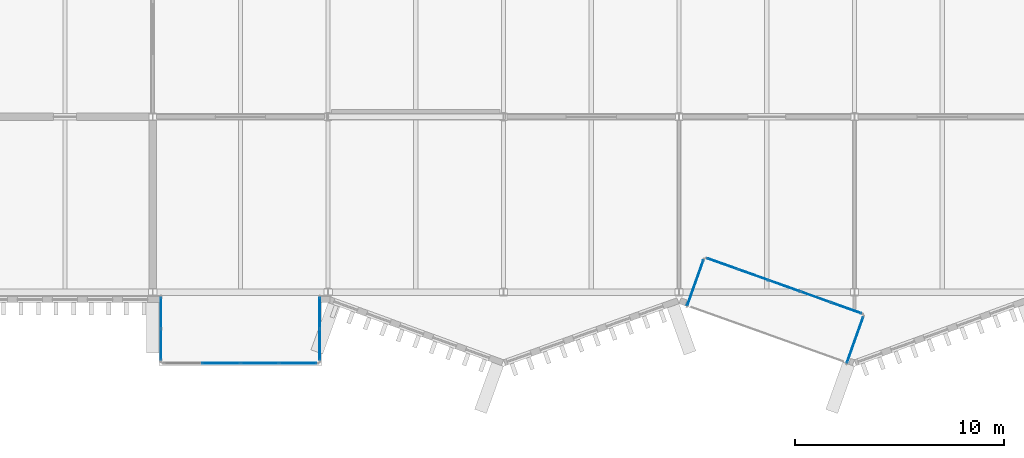
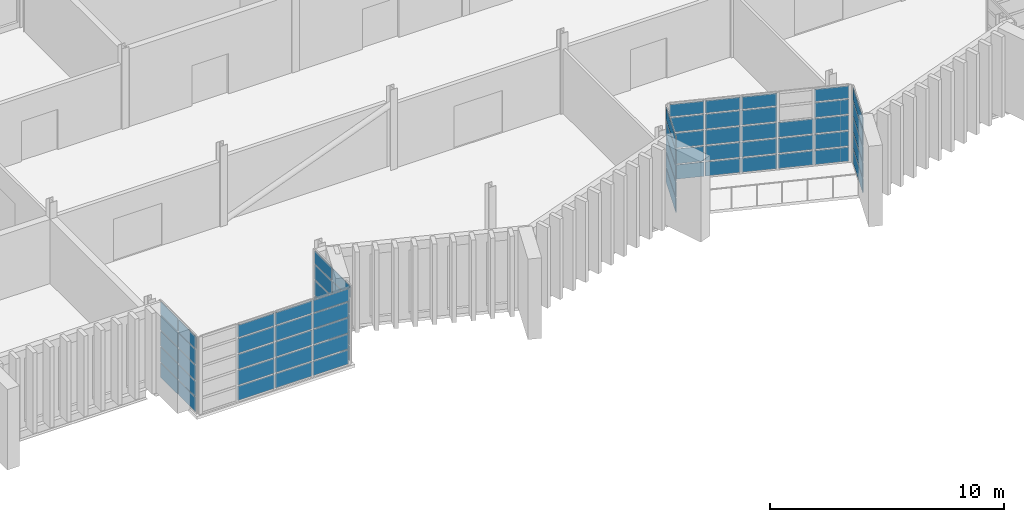
# One storey, part 49 of 96: 68 plates, 6 elements without a shape of their own.
"""IFC4 building model written with IfcOpenShell, lengths in metres."""

import ifcopenshell
import ifcopenshell.guid

model = None  # the IFC model being written
_history = None  # IfcOwnerHistory: only IFC2X3 demands one
_inside = {}  # id of a spatial element -> (the spatial element, [elements in it])
_under = {}  # id of a project, library or spatial element -> (it, [spatial elements below it])
_declared = {}  # id of a project -> (the project, [libraries it declares])
_typed = {}  # id of a type object -> (the type object, [elements of that type])
_made_of = {}  # id of a material, layer set ... -> (it, [elements and type objects made of it])


def new_model(schema):
    """Start an empty IFC model of exactly this schema.

    Asked for "IFC4X3", IfcOpenShell would pick the latest addendum, in which some entities
    have other attributes; the version numbers below select the first issue.
    IFC2X3 requires an IfcOwnerHistory on every rooted entity: one is made here for all.
    """
    global model, _history
    if schema == "IFC4X3":
        model = ifcopenshell.file(schema_version=(4, 3, 0, 0))
    else:
        model = ifcopenshell.file(schema=schema)
    _inside.clear()
    _under.clear()
    _declared.clear()
    _typed.clear()
    _made_of.clear()
    _history = None
    if model.schema == "IFC2X3":
        org = make("IfcOrganization", Name="unknown")
        user = make(
            "IfcPersonAndOrganization",
            ThePerson=make("IfcPerson", FamilyName="unknown"),
            TheOrganization=org,
        )
        app = make(
            "IfcApplication",
            ApplicationDeveloper=org,
            Version="unknown",
            ApplicationFullName="unknown",
            ApplicationIdentifier="unknown",
        )
        _history = make(
            "IfcOwnerHistory",
            OwningUser=user,
            OwningApplication=app,
            ChangeAction="ADDED",
            CreationDate=0,
        )
    return model


def make(cls, **values):
    """One entity of the class cls with the attributes given. An attribute that is None is left unset."""
    return model.create_entity(
        cls, **{name: value for name, value in values.items() if value is not None}
    )


def rooted(cls, **values):
    """An entity with a GlobalId (a new one), such as an element, a storey or a relation."""
    return make(cls, GlobalId=ifcopenshell.guid.new(), OwnerHistory=_history, **values)


def si_unit(unit_type, name, prefix=None):
    """IfcSIUnit, for example si_unit("LENGTHUNIT", "METRE", prefix="MILLI")."""
    return make("IfcSIUnit", UnitType=unit_type, Prefix=prefix, Name=name)


def assignment(units):
    """IfcUnitAssignment: the units of a project."""
    return None if units is None else make("IfcUnitAssignment", Units=units)


def point(xyz):
    """IfcCartesianPoint."""
    return None if xyz is None else make("IfcCartesianPoint", Coordinates=xyz)


def direction(xyz):
    """IfcDirection."""
    return None if xyz is None else make("IfcDirection", DirectionRatios=xyz)


def frame(location, z_axis=None, x_axis=None):
    """IfcAxis2Placement3D, a coordinate frame: its origin and axes. An axis left out is left unset."""
    return make(
        "IfcAxis2Placement3D",
        Location=point(location),
        Axis=direction(z_axis),
        RefDirection=direction(x_axis),
    )


def frame_2d(location, x_axis=None):
    """IfcAxis2Placement2D, a coordinate frame in the plane: its origin and x axis."""
    return make(
        "IfcAxis2Placement2D", Location=point(location), RefDirection=direction(x_axis)
    )


def origin():
    """The frame at (0, 0, 0) with its axes left unset."""
    return frame((0.0, 0.0, 0.0))


def origin_2d():
    """The frame at (0, 0) in the plane with its x axis left unset."""
    return frame_2d((0.0, 0.0))


def place(relative_to, where):
    """IfcLocalPlacement: puts the frame where relative to a parent placement (None: the world)."""
    return make(
        "IfcLocalPlacement", PlacementRelTo=relative_to, RelativePlacement=where
    )


def context(
    kind, dimensions, precision=None, world=None, true_north=None, identifier=None
):
    """IfcGeometricRepresentationContext, for example the 3D "Model" context."""
    return make(
        "IfcGeometricRepresentationContext",
        ContextIdentifier=identifier,
        ContextType=kind,
        CoordinateSpaceDimension=dimensions,
        Precision=precision,
        WorldCoordinateSystem=world,
        TrueNorth=true_north,
    )


def subcontext(parent, identifier, kind, view, scale=None):
    """IfcGeometricRepresentationSubContext, for example "Body" below "Model"."""
    return make(
        "IfcGeometricRepresentationSubContext",
        ContextIdentifier=identifier,
        ContextType=kind,
        ParentContext=parent,
        TargetScale=scale,
        TargetView=view,
    )


def project(units=None, contexts=None):
    """IfcProject with its units and contexts."""
    return rooted(
        "IfcProject",
        Name="project",
        RepresentationContexts=contexts,
        UnitsInContext=assignment(units),
    )


def spatial(cls, under=None, at=None, **own):
    """A site, building, storey or space (cls), placed at a placement, below another one or the project."""
    s = rooted(cls, ObjectPlacement=at, **own)
    if under is not None:
        _under.setdefault(under.id(), (under, []))[1].append(s)
    return s


def profile(cls, at=None, kind="AREA", **sizes):
    """A parametric profile (cls). Its sizes go by their IFC names, for example OverallWidth=200.0."""
    return make(cls, ProfileType=kind, Position=at, **sizes)


def rectangle(**sizes):
    """IfcRectangleProfileDef."""
    return profile("IfcRectangleProfileDef", **sizes)


def extrude(swept, where, along, depth):
    """IfcExtrudedAreaSolid: the profile swept, set in the frame where, extruded along a direction by depth."""
    return make(
        "IfcExtrudedAreaSolid",
        SweptArea=swept,
        Position=where,
        ExtrudedDirection=direction(along),
        Depth=depth,
    )


def shape(context_of_items, identifier, shape_type, items):
    """IfcShapeRepresentation: the items that make up one representation, for example the "Body"."""
    return make(
        "IfcShapeRepresentation",
        ContextOfItems=context_of_items,
        RepresentationIdentifier=identifier,
        RepresentationType=shape_type,
        Items=items,
    )


def material(Name=None, Category=None):
    """IfcMaterial."""
    return make("IfcMaterial", Name=Name, Category=Category)


def layer(
    of_material, thickness, ventilated=None, Name=None, Category=None, Priority=None
):
    """IfcMaterialLayer: one layer of a wall or slab, of a material (None: an air gap)."""
    return make(
        "IfcMaterialLayer",
        Material=of_material,
        LayerThickness=thickness,
        IsVentilated=ventilated,
        Name=Name,
        Category=Category,
        Priority=Priority,
    )


def layer_set(layers, Name=None):
    """IfcMaterialLayerSet."""
    return make("IfcMaterialLayerSet", MaterialLayers=layers, LayerSetName=Name)


def made_of(thing, what):
    """Note that an element or type object is made of a material, layer set ...; save() writes the relation."""
    if what is not None:
        _made_of.setdefault(what.id(), (what, []))[1].append(thing)
    return thing


def type_object(cls, material=None, **own):
    """A type object (cls), such as IfcWallType, which elements share."""
    return made_of(rooted(cls, **own), material)


def element(
    cls,
    number,
    at=None,
    inside=None,
    cuts=None,
    type_object=None,
    material=None,
    context=None,
    identifier="Body",
    shape_type=None,
    held_by="IfcProductDefinitionShape",
    body=None,
    shapes=None,
    **own,
):
    """One element of the class cls, such as IfcWall. Its Tag is "e" and its number.

    at: its placement. inside: the storey or other place that contains it. cuts: it is an
    opening in that element (IfcRelVoidsElement). A single representation is given by context,
    identifier, shape_type and body (its items); several are given by shapes. held_by: the class
    of the entity that holds the representations. save() writes the other relations.
    """
    e = rooted(cls, Tag="e%d" % number, ObjectPlacement=at, **own)
    if body is not None:
        shapes = [shape(context, identifier, shape_type, body)]
    if shapes is not None:
        e.Representation = make(held_by, Representations=shapes)
    if inside is not None:
        _inside.setdefault(inside.id(), (inside, []))[1].append(e)
    if cuts is not None:
        rooted(
            "IfcRelVoidsElement", RelatingBuildingElement=cuts, RelatedOpeningElement=e
        )
    if type_object is not None:
        _typed.setdefault(type_object.id(), (type_object, []))[1].append(e)
    return made_of(e, material)


def aggregate(whole, parts):
    """IfcRelAggregates: a whole, such as a stair, and the parts it consists of."""
    return rooted("IfcRelAggregates", RelatingObject=whole, RelatedObjects=parts)


def save(model, path):
    """Write the relations noted so far, then the file.

    IfcRelAggregates (storeys below a building ...), IfcRelContainedInSpatialStructure (elements
    in a storey), IfcRelDefinesByType, IfcRelAssociatesMaterial and IfcRelDeclares: one each for
    every whole, place, type object, material and project.
    """
    for whole, parts in _under.values():
        aggregate(whole, parts)
    for where, things in _inside.values():
        rooted(
            "IfcRelContainedInSpatialStructure",
            RelatedElements=things,
            RelatingStructure=where,
        )
    for kind, things in _typed.values():
        rooted("IfcRelDefinesByType", RelatedObjects=things, RelatingType=kind)
    for what, things in _made_of.values():
        rooted("IfcRelAssociatesMaterial", RelatedObjects=things, RelatingMaterial=what)
    for by, libraries in _declared.values():
        rooted("IfcRelDeclares", RelatingContext=by, RelatedDefinitions=libraries)
    model.write(path)


model = new_model("IFC4")

# Units and contexts
model_context = context("Model", 3, precision=1e-05, world=origin(), true_north=direction((0.0, 1.0)))
body_context = subcontext(model_context, "Body", "Model", "MODEL_VIEW")
ifc_project = project(units=[si_unit("LENGTHUNIT", "METRE"), si_unit("AREAUNIT", "SQUARE_METRE"), si_unit("VOLUMEUNIT", "CUBIC_METRE"), si_unit("PLANEANGLEUNIT", "RADIAN"), si_unit("MASSUNIT", "GRAM", prefix="KILO")], contexts=[model_context])

# Site, building, storey
site_placement = place(None, origin())
site = spatial("IfcSite", under=ifc_project, at=site_placement, CompositionType="ELEMENT")
building_placement = place(site_placement, origin())
building = spatial("IfcBuilding", under=site, at=building_placement, Name="Cresset Court Congress Hotel", CompositionType="ELEMENT")
storey_placement = place(building_placement, frame((0.0, 0.0, 6.0)))
storey = spatial("IfcBuildingStorey", under=building, at=storey_placement, Name="L01", CompositionType="ELEMENT", Elevation=6.0)

# Curtain wall, plates
ifc_material_1 = material(Name="Aluminium frame with double glazing", Category="aluminium")
ifc_layer_1 = layer(ifc_material_1, 0.199951171875)
ifc_layer_set_1 = layer_set([ifc_layer_1], Name="Glazed box curtain wall 1680 module")
curtain_wall_type = type_object("IfcCurtainWallType", Name="Glazed box curtain wall 1680 module", PredefinedType="NOTDEFINED", material=ifc_layer_set_1)
curtain_wall_1_placement = place(storey_placement, origin())
curtain_wall_1 = element("IfcCurtainWall", 1, at=curtain_wall_1_placement, inside=storey, type_object=curtain_wall_type, Name="Glazed box S0112 front", PredefinedType="NOTDEFINED")
ifc_material_2 = material(Name="Toughened double glazing", Category="glass")
ifc_layer_2 = layer(ifc_material_2, 0.028076171875)
ifc_layer_set_2 = layer_set([ifc_layer_2], Name="Box glass panel 28")
plate_type_1 = type_object("IfcPlateType", Name="Box glass panel 28", PredefinedType="CURTAIN_PANEL", material=ifc_layer_set_2)
plate_1_placement = place(storey_placement, frame((95.675048828125, -3.39990234375, 0.06005859375), z_axis=(0.0, 0.0, 1.0), x_axis=(1.0, 0.0, 0.0)))
plate_1 = element("IfcPlate", 2, at=plate_1_placement, type_object=plate_type_1, Name="B-X1 panel 2.1", PredefinedType="CURTAIN_PANEL", context=body_context, shape_type="SweptSolid", body=[
    extrude(rectangle(XDim=1.7900390625, YDim=0.028076171875, at=origin_2d()), origin(), (0.0, 0.0, 1.0), 0.739990234375),
])
plate_2_placement = place(storey_placement, frame((95.675048828125, -3.39990234375, 0.860107421875), z_axis=(0.0, 0.0, 1.0), x_axis=(1.0, 0.0, 0.0)))
plate_2 = element("IfcPlate", 3, at=plate_2_placement, type_object=plate_type_1, Name="B-X1 panel 2.2", PredefinedType="CURTAIN_PANEL", context=body_context, shape_type="SweptSolid", body=[
    extrude(rectangle(XDim=1.7900390625, YDim=0.028076171875, at=origin_2d()), origin(), (0.0, 0.0, 1.0), 0.77001953125),
])
plate_3_placement = place(storey_placement, frame((95.675048828125, -3.39990234375, 1.68994140625), z_axis=(0.0, 0.0, 1.0), x_axis=(1.0, 0.0, 0.0)))
plate_3 = element("IfcPlate", 4, at=plate_3_placement, type_object=plate_type_1, Name="B-X1 panel 2.3", PredefinedType="CURTAIN_PANEL", context=body_context, shape_type="SweptSolid", body=[
    extrude(rectangle(XDim=1.7900390625, YDim=0.028076171875, at=origin_2d()), origin(), (0.0, 0.0, 1.0), 0.77001953125),
])
plate_4_placement = place(storey_placement, frame((95.675048828125, -3.39990234375, 2.52001953125), z_axis=(0.0, 0.0, 1.0), x_axis=(1.0, 0.0, 0.0)))
plate_4 = element("IfcPlate", 5, at=plate_4_placement, type_object=plate_type_1, Name="B-X1 panel 2.4", PredefinedType="CURTAIN_PANEL", context=body_context, shape_type="SweptSolid", body=[
    extrude(rectangle(XDim=1.7900390625, YDim=0.028076171875, at=origin_2d()), origin(), (0.0, 0.0, 1.0), 0.77001953125),
])
plate_5_placement = place(storey_placement, frame((97.52490234375, -3.39990234375, 0.06005859375), z_axis=(0.0, 0.0, 1.0), x_axis=(1.0, 0.0, 0.0)))
plate_5 = element("IfcPlate", 6, at=plate_5_placement, type_object=plate_type_1, Name="B-X1 panel 3.1", PredefinedType="CURTAIN_PANEL", context=body_context, shape_type="SweptSolid", body=[
    extrude(rectangle(XDim=1.7900390625, YDim=0.028076171875, at=origin_2d()), origin(), (0.0, 0.0, 1.0), 0.739990234375),
])
plate_6_placement = place(storey_placement, frame((97.52490234375, -3.39990234375, 0.860107421875), z_axis=(0.0, 0.0, 1.0), x_axis=(1.0, 0.0, 0.0)))
plate_6 = element("IfcPlate", 7, at=plate_6_placement, type_object=plate_type_1, Name="B-X1 panel 3.2", PredefinedType="CURTAIN_PANEL", context=body_context, shape_type="SweptSolid", body=[
    extrude(rectangle(XDim=1.7900390625, YDim=0.028076171875, at=origin_2d()), origin(), (0.0, 0.0, 1.0), 0.77001953125),
])
plate_7_placement = place(storey_placement, frame((97.52490234375, -3.39990234375, 1.68994140625), z_axis=(0.0, 0.0, 1.0), x_axis=(1.0, 0.0, 0.0)))
plate_7 = element("IfcPlate", 8, at=plate_7_placement, type_object=plate_type_1, Name="B-X1 panel 3.3", PredefinedType="CURTAIN_PANEL", context=body_context, shape_type="SweptSolid", body=[
    extrude(rectangle(XDim=1.7900390625, YDim=0.028076171875, at=origin_2d()), origin(), (0.0, 0.0, 1.0), 0.77001953125),
])
plate_8_placement = place(storey_placement, frame((97.52490234375, -3.39990234375, 2.52001953125), z_axis=(0.0, 0.0, 1.0), x_axis=(1.0, 0.0, 0.0)))
plate_8 = element("IfcPlate", 9, at=plate_8_placement, type_object=plate_type_1, Name="B-X1 panel 3.4", PredefinedType="CURTAIN_PANEL", context=body_context, shape_type="SweptSolid", body=[
    extrude(rectangle(XDim=1.7900390625, YDim=0.028076171875, at=origin_2d()), origin(), (0.0, 0.0, 1.0), 0.77001953125),
])
plate_9_placement = place(storey_placement, frame((99.360107421875, -3.39990234375, 0.06005859375), z_axis=(0.0, 0.0, 1.0), x_axis=(1.0, 0.0, 0.0)))
plate_9 = element("IfcPlate", 10, at=plate_9_placement, type_object=plate_type_1, Name="B-X1 panel 4.1", PredefinedType="CURTAIN_PANEL", context=body_context, shape_type="SweptSolid", body=[
    extrude(rectangle(XDim=1.760009765625, YDim=0.028076171875, at=origin_2d()), origin(), (0.0, 0.0, 1.0), 0.739990234375),
])
plate_10_placement = place(storey_placement, frame((99.360107421875, -3.39990234375, 0.860107421875), z_axis=(0.0, 0.0, 1.0), x_axis=(1.0, 0.0, 0.0)))
plate_10 = element("IfcPlate", 11, at=plate_10_placement, type_object=plate_type_1, Name="B-X1 panel 4.2", PredefinedType="CURTAIN_PANEL", context=body_context, shape_type="SweptSolid", body=[
    extrude(rectangle(XDim=1.760009765625, YDim=0.028076171875, at=origin_2d()), origin(), (0.0, 0.0, 1.0), 0.77001953125),
])
plate_11_placement = place(storey_placement, frame((99.360107421875, -3.39990234375, 1.68994140625), z_axis=(0.0, 0.0, 1.0), x_axis=(1.0, 0.0, 0.0)))
plate_11 = element("IfcPlate", 12, at=plate_11_placement, type_object=plate_type_1, Name="B-X1 panel 4.3", PredefinedType="CURTAIN_PANEL", context=body_context, shape_type="SweptSolid", body=[
    extrude(rectangle(XDim=1.760009765625, YDim=0.028076171875, at=origin_2d()), origin(), (0.0, 0.0, 1.0), 0.77001953125),
])
plate_12_placement = place(storey_placement, frame((99.360107421875, -3.39990234375, 2.52001953125), z_axis=(0.0, 0.0, 1.0), x_axis=(1.0, 0.0, 0.0)))
plate_12 = element("IfcPlate", 13, at=plate_12_placement, type_object=plate_type_1, Name="B-X1 panel 4.4", PredefinedType="CURTAIN_PANEL", context=body_context, shape_type="SweptSolid", body=[
    extrude(rectangle(XDim=1.760009765625, YDim=0.028076171875, at=origin_2d()), origin(), (0.0, 0.0, 1.0), 0.77001953125),
])

curtain_wall_2_placement = place(storey_placement, origin())
curtain_wall_2 = element("IfcCurtainWall", 14, at=curtain_wall_2_placement, inside=storey, type_object=curtain_wall_type, Name="Glazed box S0112 side", PredefinedType="NOTDEFINED")
plate_13_placement = place(storey_placement, frame((92.800048828125, -0.989990234375, 0.06005859375), z_axis=(0.0, 0.0, 1.0), x_axis=(0.0, -1.0, 0.0)))
plate_13 = element("IfcPlate", 15, at=plate_13_placement, type_object=plate_type_1, Name="B-X1 panel 1.1", PredefinedType="CURTAIN_PANEL", context=body_context, shape_type="SweptSolid", body=[
    extrude(rectangle(XDim=1.4599609375, YDim=0.028076171875, at=origin_2d()), origin(), (0.0, 0.0, 1.0), 0.739990234375),
])
plate_14_placement = place(storey_placement, frame((92.800048828125, -0.989990234375, 0.860107421875), z_axis=(0.0, 0.0, 1.0), x_axis=(0.0, -1.0, 0.0)))
plate_14 = element("IfcPlate", 16, at=plate_14_placement, type_object=plate_type_1, Name="B-X1 panel 1.2", PredefinedType="CURTAIN_PANEL", context=body_context, shape_type="SweptSolid", body=[
    extrude(rectangle(XDim=1.4599609375, YDim=0.028076171875, at=origin_2d()), origin(), (0.0, 0.0, 1.0), 0.77001953125),
])
plate_15_placement = place(storey_placement, frame((92.800048828125, -0.989990234375, 1.68994140625), z_axis=(0.0, 0.0, 1.0), x_axis=(0.0, -1.0, 0.0)))
plate_15 = element("IfcPlate", 17, at=plate_15_placement, type_object=plate_type_1, Name="B-X1 panel 1.3", PredefinedType="CURTAIN_PANEL", context=body_context, shape_type="SweptSolid", body=[
    extrude(rectangle(XDim=1.4599609375, YDim=0.028076171875, at=origin_2d()), origin(), (0.0, 0.0, 1.0), 0.77001953125),
])
plate_16_placement = place(storey_placement, frame((92.800048828125, -0.989990234375, 2.52001953125), z_axis=(0.0, 0.0, 1.0), x_axis=(0.0, -1.0, 0.0)))
plate_16 = element("IfcPlate", 18, at=plate_16_placement, type_object=plate_type_1, Name="B-X1 panel 1.4", PredefinedType="CURTAIN_PANEL", context=body_context, shape_type="SweptSolid", body=[
    extrude(rectangle(XDim=1.4599609375, YDim=0.028076171875, at=origin_2d()), origin(), (0.0, 0.0, 1.0), 0.77001953125),
])
plate_17_placement = place(storey_placement, frame((92.800048828125, -2.510009765625, 0.06005859375), z_axis=(0.0, 0.0, 1.0), x_axis=(0.0, -1.0, 0.0)))
plate_17 = element("IfcPlate", 19, at=plate_17_placement, type_object=plate_type_1, Name="B-X1 panel 2.1", PredefinedType="CURTAIN_PANEL", context=body_context, shape_type="SweptSolid", body=[
    extrude(rectangle(XDim=1.4599609375, YDim=0.028076171875, at=origin_2d()), origin(), (0.0, 0.0, 1.0), 0.739990234375),
])
plate_18_placement = place(storey_placement, frame((92.800048828125, -2.510009765625, 0.860107421875), z_axis=(0.0, 0.0, 1.0), x_axis=(0.0, -1.0, 0.0)))
plate_18 = element("IfcPlate", 20, at=plate_18_placement, type_object=plate_type_1, Name="B-X1 panel 2.2", PredefinedType="CURTAIN_PANEL", context=body_context, shape_type="SweptSolid", body=[
    extrude(rectangle(XDim=1.4599609375, YDim=0.028076171875, at=origin_2d()), origin(), (0.0, 0.0, 1.0), 0.77001953125),
])
plate_19_placement = place(storey_placement, frame((92.800048828125, -2.510009765625, 1.68994140625), z_axis=(0.0, 0.0, 1.0), x_axis=(0.0, -1.0, 0.0)))
plate_19 = element("IfcPlate", 21, at=plate_19_placement, type_object=plate_type_1, Name="B-X1 panel 2.3", PredefinedType="CURTAIN_PANEL", context=body_context, shape_type="SweptSolid", body=[
    extrude(rectangle(XDim=1.4599609375, YDim=0.028076171875, at=origin_2d()), origin(), (0.0, 0.0, 1.0), 0.77001953125),
])
plate_20_placement = place(storey_placement, frame((92.800048828125, -2.510009765625, 2.52001953125), z_axis=(0.0, 0.0, 1.0), x_axis=(0.0, -1.0, 0.0)))
plate_20 = element("IfcPlate", 22, at=plate_20_placement, type_object=plate_type_1, Name="B-X1 panel 2.4", PredefinedType="CURTAIN_PANEL", context=body_context, shape_type="SweptSolid", body=[
    extrude(rectangle(XDim=1.4599609375, YDim=0.028076171875, at=origin_2d()), origin(), (0.0, 0.0, 1.0), 0.77001953125),
])

curtain_wall_3_placement = place(storey_placement, origin())
curtain_wall_3 = element("IfcCurtainWall", 23, at=curtain_wall_3_placement, inside=storey, type_object=curtain_wall_type, Name="Glazed box S0112 side", PredefinedType="NOTDEFINED")
plate_21_placement = place(storey_placement, frame((100.39990234375, -0.989990234375, 0.06005859375), z_axis=(0.0, 0.0, 1.0), x_axis=(0.0, -1.0, 0.0)))
plate_21 = element("IfcPlate", 24, at=plate_21_placement, type_object=plate_type_1, Name="B-X1 panel 1.1", PredefinedType="CURTAIN_PANEL", context=body_context, shape_type="SweptSolid", body=[
    extrude(rectangle(XDim=1.4599609375, YDim=0.028076171875, at=origin_2d()), origin(), (0.0, 0.0, 1.0), 0.739990234375),
])
plate_22_placement = place(storey_placement, frame((100.39990234375, -0.989990234375, 0.860107421875), z_axis=(0.0, 0.0, 1.0), x_axis=(0.0, -1.0, 0.0)))
plate_22 = element("IfcPlate", 25, at=plate_22_placement, type_object=plate_type_1, Name="B-X1 panel 1.2", PredefinedType="CURTAIN_PANEL", context=body_context, shape_type="SweptSolid", body=[
    extrude(rectangle(XDim=1.4599609375, YDim=0.028076171875, at=origin_2d()), origin(), (0.0, 0.0, 1.0), 0.77001953125),
])
plate_23_placement = place(storey_placement, frame((100.39990234375, -0.989990234375, 1.68994140625), z_axis=(0.0, 0.0, 1.0), x_axis=(0.0, -1.0, 0.0)))
plate_23 = element("IfcPlate", 26, at=plate_23_placement, type_object=plate_type_1, Name="B-X1 panel 1.3", PredefinedType="CURTAIN_PANEL", context=body_context, shape_type="SweptSolid", body=[
    extrude(rectangle(XDim=1.4599609375, YDim=0.028076171875, at=origin_2d()), origin(), (0.0, 0.0, 1.0), 0.77001953125),
])
plate_24_placement = place(storey_placement, frame((100.39990234375, -0.989990234375, 2.52001953125), z_axis=(0.0, 0.0, 1.0), x_axis=(0.0, -1.0, 0.0)))
plate_24 = element("IfcPlate", 27, at=plate_24_placement, type_object=plate_type_1, Name="B-X1 panel 1.4", PredefinedType="CURTAIN_PANEL", context=body_context, shape_type="SweptSolid", body=[
    extrude(rectangle(XDim=1.4599609375, YDim=0.028076171875, at=origin_2d()), origin(), (0.0, 0.0, 1.0), 0.77001953125),
])
plate_25_placement = place(storey_placement, frame((100.39990234375, -2.510009765625, 0.06005859375), z_axis=(0.0, 0.0, 1.0), x_axis=(0.0, -1.0, 0.0)))
plate_25 = element("IfcPlate", 28, at=plate_25_placement, type_object=plate_type_1, Name="B-X1 panel 2.1", PredefinedType="CURTAIN_PANEL", context=body_context, shape_type="SweptSolid", body=[
    extrude(rectangle(XDim=1.4599609375, YDim=0.028076171875, at=origin_2d()), origin(), (0.0, 0.0, 1.0), 0.739990234375),
])
plate_26_placement = place(storey_placement, frame((100.39990234375, -2.510009765625, 0.860107421875), z_axis=(0.0, 0.0, 1.0), x_axis=(0.0, -1.0, 0.0)))
plate_26 = element("IfcPlate", 29, at=plate_26_placement, type_object=plate_type_1, Name="B-X1 panel 2.2", PredefinedType="CURTAIN_PANEL", context=body_context, shape_type="SweptSolid", body=[
    extrude(rectangle(XDim=1.4599609375, YDim=0.028076171875, at=origin_2d()), origin(), (0.0, 0.0, 1.0), 0.77001953125),
])
plate_27_placement = place(storey_placement, frame((100.39990234375, -2.510009765625, 1.68994140625), z_axis=(0.0, 0.0, 1.0), x_axis=(0.0, -1.0, 0.0)))
plate_27 = element("IfcPlate", 30, at=plate_27_placement, type_object=plate_type_1, Name="B-X1 panel 2.3", PredefinedType="CURTAIN_PANEL", context=body_context, shape_type="SweptSolid", body=[
    extrude(rectangle(XDim=1.4599609375, YDim=0.028076171875, at=origin_2d()), origin(), (0.0, 0.0, 1.0), 0.77001953125),
])
plate_28_placement = place(storey_placement, frame((100.39990234375, -2.510009765625, 2.52001953125), z_axis=(0.0, 0.0, 1.0), x_axis=(0.0, -1.0, 0.0)))
plate_28 = element("IfcPlate", 31, at=plate_28_placement, type_object=plate_type_1, Name="B-X1 panel 2.4", PredefinedType="CURTAIN_PANEL", context=body_context, shape_type="SweptSolid", body=[
    extrude(rectangle(XDim=1.4599609375, YDim=0.028076171875, at=origin_2d()), origin(), (0.0, 0.0, 1.0), 0.77001953125),
])

curtain_wall_4_placement = place(storey_placement, origin())
curtain_wall_4 = element("IfcCurtainWall", 32, at=curtain_wall_4_placement, inside=storey, type_object=curtain_wall_type, Name="Glazed box S0115 front", PredefinedType="NOTDEFINED")
plate_29_placement = place(storey_placement, frame((119.671630859375, 1.36474609375, 0.06005859375), z_axis=(0.0, 0.0, 1.0), x_axis=(0.941741911601, -0.336336396981, 0.0)))
plate_29 = element("IfcPlate", 33, at=plate_29_placement, type_object=plate_type_1, Name="B-X1 panel 1.1", PredefinedType="CURTAIN_PANEL", context=body_context, shape_type="SweptSolid", body=[
    extrude(rectangle(XDim=1.493896484375, YDim=0.028076171875, at=origin_2d()), origin(), (0.0, 0.0, 1.0), 0.739990234375),
])
plate_30_placement = place(storey_placement, frame((119.671630859375, 1.36474609375, 0.860107421875), z_axis=(0.0, 0.0, 1.0), x_axis=(0.941741911601, -0.336336396981, 0.0)))
plate_30 = element("IfcPlate", 34, at=plate_30_placement, type_object=plate_type_1, Name="B-X1 panel 1.2", PredefinedType="CURTAIN_PANEL", context=body_context, shape_type="SweptSolid", body=[
    extrude(rectangle(XDim=1.493896484375, YDim=0.028076171875, at=origin_2d()), origin(), (0.0, 0.0, 1.0), 0.77001953125),
])
plate_31_placement = place(storey_placement, frame((119.671630859375, 1.36474609375, 1.68994140625), z_axis=(0.0, 0.0, 1.0), x_axis=(0.941741911601, -0.336336396981, 0.0)))
plate_31 = element("IfcPlate", 35, at=plate_31_placement, type_object=plate_type_1, Name="B-X1 panel 1.3", PredefinedType="CURTAIN_PANEL", context=body_context, shape_type="SweptSolid", body=[
    extrude(rectangle(XDim=1.493896484375, YDim=0.028076171875, at=origin_2d()), origin(), (0.0, 0.0, 1.0), 0.77001953125),
])
plate_32_placement = place(storey_placement, frame((119.671630859375, 1.36474609375, 2.52001953125), z_axis=(0.0, 0.0, 1.0), x_axis=(0.941741911601, -0.336336396981, 0.0)))
plate_32 = element("IfcPlate", 36, at=plate_32_placement, type_object=plate_type_1, Name="B-X1 panel 1.4", PredefinedType="CURTAIN_PANEL", context=body_context, shape_type="SweptSolid", body=[
    extrude(rectangle(XDim=1.493896484375, YDim=0.028076171875, at=origin_2d()), origin(), (0.0, 0.0, 1.0), 0.77001953125),
])
plate_33_placement = place(storey_placement, frame((121.149169921875, 0.837158203125, 0.06005859375), z_axis=(0.0, 0.0, 1.0), x_axis=(0.941741911601, -0.336336396981, 0.0)))
plate_33 = element("IfcPlate", 37, at=plate_33_placement, type_object=plate_type_1, Name="B-X1 panel 2.1", PredefinedType="CURTAIN_PANEL", context=body_context, shape_type="SweptSolid", body=[
    extrude(rectangle(XDim=1.52392578125, YDim=0.028076171875, at=origin_2d()), origin(), (0.0, 0.0, 1.0), 0.739990234375),
])
plate_34_placement = place(storey_placement, frame((121.149169921875, 0.837158203125, 0.860107421875), z_axis=(0.0, 0.0, 1.0), x_axis=(0.941741911601, -0.336336396981, 0.0)))
plate_34 = element("IfcPlate", 38, at=plate_34_placement, type_object=plate_type_1, Name="B-X1 panel 2.2", PredefinedType="CURTAIN_PANEL", context=body_context, shape_type="SweptSolid", body=[
    extrude(rectangle(XDim=1.52392578125, YDim=0.028076171875, at=origin_2d()), origin(), (0.0, 0.0, 1.0), 0.77001953125),
])
plate_35_placement = place(storey_placement, frame((121.149169921875, 0.837158203125, 1.68994140625), z_axis=(0.0, 0.0, 1.0), x_axis=(0.941741911601, -0.336336396981, 0.0)))
plate_35 = element("IfcPlate", 39, at=plate_35_placement, type_object=plate_type_1, Name="B-X1 panel 2.3", PredefinedType="CURTAIN_PANEL", context=body_context, shape_type="SweptSolid", body=[
    extrude(rectangle(XDim=1.52392578125, YDim=0.028076171875, at=origin_2d()), origin(), (0.0, 0.0, 1.0), 0.77001953125),
])
plate_36_placement = place(storey_placement, frame((121.149169921875, 0.837158203125, 2.52001953125), z_axis=(0.0, 0.0, 1.0), x_axis=(0.941741911601, -0.336336396981, 0.0)))
plate_36 = element("IfcPlate", 40, at=plate_36_placement, type_object=plate_type_1, Name="B-X1 panel 2.4", PredefinedType="CURTAIN_PANEL", context=body_context, shape_type="SweptSolid", body=[
    extrude(rectangle(XDim=1.52392578125, YDim=0.028076171875, at=origin_2d()), origin(), (0.0, 0.0, 1.0), 0.77001953125),
])
plate_37_placement = place(storey_placement, frame((122.640869140625, 0.304443359375, 0.06005859375), z_axis=(0.0, 0.0, 1.0), x_axis=(0.941741911601, -0.336336396981, 0.0)))
plate_37 = element("IfcPlate", 41, at=plate_37_placement, type_object=plate_type_1, Name="B-X1 panel 3.1", PredefinedType="CURTAIN_PANEL", context=body_context, shape_type="SweptSolid", body=[
    extrude(rectangle(XDim=1.52392578125, YDim=0.028076171875, at=origin_2d()), origin(), (0.0, 0.0, 1.0), 0.739990234375),
])
plate_38_placement = place(storey_placement, frame((122.640869140625, 0.304443359375, 0.860107421875), z_axis=(0.0, 0.0, 1.0), x_axis=(0.941741911601, -0.336336396981, 0.0)))
plate_38 = element("IfcPlate", 42, at=plate_38_placement, type_object=plate_type_1, Name="B-X1 panel 3.2", PredefinedType="CURTAIN_PANEL", context=body_context, shape_type="SweptSolid", body=[
    extrude(rectangle(XDim=1.52392578125, YDim=0.028076171875, at=origin_2d()), origin(), (0.0, 0.0, 1.0), 0.77001953125),
])
plate_39_placement = place(storey_placement, frame((122.640869140625, 0.304443359375, 1.68994140625), z_axis=(0.0, 0.0, 1.0), x_axis=(0.941741911601, -0.336336396981, 0.0)))
plate_39 = element("IfcPlate", 43, at=plate_39_placement, type_object=plate_type_1, Name="B-X1 panel 3.3", PredefinedType="CURTAIN_PANEL", context=body_context, shape_type="SweptSolid", body=[
    extrude(rectangle(XDim=1.52392578125, YDim=0.028076171875, at=origin_2d()), origin(), (0.0, 0.0, 1.0), 0.77001953125),
])
plate_40_placement = place(storey_placement, frame((122.640869140625, 0.304443359375, 2.52001953125), z_axis=(0.0, 0.0, 1.0), x_axis=(0.941741911601, -0.336336396981, 0.0)))
plate_40 = element("IfcPlate", 44, at=plate_40_placement, type_object=plate_type_1, Name="B-X1 panel 3.4", PredefinedType="CURTAIN_PANEL", context=body_context, shape_type="SweptSolid", body=[
    extrude(rectangle(XDim=1.52392578125, YDim=0.028076171875, at=origin_2d()), origin(), (0.0, 0.0, 1.0), 0.77001953125),
])
plate_41_placement = place(storey_placement, frame((124.132568359375, -0.228271484375, 0.06005859375), z_axis=(0.0, 0.0, 1.0), x_axis=(0.941741911601, -0.336336396981, 0.0)))
plate_41 = element("IfcPlate", 45, at=plate_41_placement, type_object=plate_type_1, Name="B-X1 panel 4.1", PredefinedType="CURTAIN_PANEL", context=body_context, shape_type="SweptSolid", body=[
    extrude(rectangle(XDim=1.52392578125, YDim=0.028076171875, at=origin_2d()), origin(), (0.0, 0.0, 1.0), 0.739990234375),
])
plate_42_placement = place(storey_placement, frame((124.132568359375, -0.228271484375, 0.860107421875), z_axis=(0.0, 0.0, 1.0), x_axis=(0.941741911601, -0.336336396981, 0.0)))
plate_42 = element("IfcPlate", 46, at=plate_42_placement, type_object=plate_type_1, Name="B-X1 panel 4.2", PredefinedType="CURTAIN_PANEL", context=body_context, shape_type="SweptSolid", body=[
    extrude(rectangle(XDim=1.52392578125, YDim=0.028076171875, at=origin_2d()), origin(), (0.0, 0.0, 1.0), 0.77001953125),
])
plate_43_placement = place(storey_placement, frame((124.132568359375, -0.228271484375, 1.68994140625), z_axis=(0.0, 0.0, 1.0), x_axis=(0.941741911601, -0.336336396981, 0.0)))
plate_43 = element("IfcPlate", 47, at=plate_43_placement, type_object=plate_type_1, Name="B-X1 panel 4.3", PredefinedType="CURTAIN_PANEL", context=body_context, shape_type="SweptSolid", body=[
    extrude(rectangle(XDim=1.52392578125, YDim=0.028076171875, at=origin_2d()), origin(), (0.0, 0.0, 1.0), 0.77001953125),
])
plate_44_placement = place(storey_placement, frame((125.610107421875, -0.756103515625, 0.06005859375), z_axis=(0.0, 0.0, 1.0), x_axis=(0.941741911601, -0.336336396981, 0.0)))
plate_44 = element("IfcPlate", 48, at=plate_44_placement, type_object=plate_type_1, Name="B-X1 panel 5.1", PredefinedType="CURTAIN_PANEL", context=body_context, shape_type="SweptSolid", body=[
    extrude(rectangle(XDim=1.493896484375, YDim=0.028076171875, at=origin_2d()), origin(), (0.0, 0.0, 1.0), 0.739990234375),
])
plate_45_placement = place(storey_placement, frame((125.610107421875, -0.756103515625, 0.860107421875), z_axis=(0.0, 0.0, 1.0), x_axis=(0.941741911601, -0.336336396981, 0.0)))
plate_45 = element("IfcPlate", 49, at=plate_45_placement, type_object=plate_type_1, Name="B-X1 panel 5.2", PredefinedType="CURTAIN_PANEL", context=body_context, shape_type="SweptSolid", body=[
    extrude(rectangle(XDim=1.493896484375, YDim=0.028076171875, at=origin_2d()), origin(), (0.0, 0.0, 1.0), 0.77001953125),
])
plate_46_placement = place(storey_placement, frame((125.610107421875, -0.756103515625, 1.68994140625), z_axis=(0.0, 0.0, 1.0), x_axis=(0.941741911601, -0.336336396981, 0.0)))
plate_46 = element("IfcPlate", 50, at=plate_46_placement, type_object=plate_type_1, Name="B-X1 panel 5.3", PredefinedType="CURTAIN_PANEL", context=body_context, shape_type="SweptSolid", body=[
    extrude(rectangle(XDim=1.493896484375, YDim=0.028076171875, at=origin_2d()), origin(), (0.0, 0.0, 1.0), 0.77001953125),
])
plate_47_placement = place(storey_placement, frame((125.610107421875, -0.756103515625, 2.52001953125), z_axis=(0.0, 0.0, 1.0), x_axis=(0.941741911601, -0.336336396981, 0.0)))
plate_47 = element("IfcPlate", 51, at=plate_47_placement, type_object=plate_type_1, Name="B-X1 panel 5.4", PredefinedType="CURTAIN_PANEL", context=body_context, shape_type="SweptSolid", body=[
    extrude(rectangle(XDim=1.493896484375, YDim=0.028076171875, at=origin_2d()), origin(), (0.0, 0.0, 1.0), 0.77001953125),
])

curtain_wall_5_placement = place(storey_placement, origin())
curtain_wall_5 = element("IfcCurtainWall", 52, at=curtain_wall_5_placement, inside=storey, type_object=curtain_wall_type, Name="Glazed box S0115 side", PredefinedType="NOTDEFINED")
plate_48_placement = place(storey_placement, frame((118.38037109375, 0.445556640625, 0.06005859375), z_axis=(0.0, 0.0, 1.0), x_axis=(0.336336396685, 0.941741911707, 0.0)))
plate_48 = element("IfcPlate", 53, at=plate_48_placement, type_object=plate_type_1, Name="B-X1 panel 1.1", PredefinedType="CURTAIN_PANEL", context=body_context, shape_type="SweptSolid", body=[
    extrude(rectangle(XDim=2.280029296875, YDim=0.028076171875, at=origin_2d()), origin(), (0.0, 0.0, 1.0), 0.739990234375),
])
plate_49_placement = place(storey_placement, frame((118.38037109375, 0.445556640625, 0.860107421875), z_axis=(0.0, 0.0, 1.0), x_axis=(0.336336396685, 0.941741911707, 0.0)))
plate_49 = element("IfcPlate", 54, at=plate_49_placement, type_object=plate_type_1, Name="B-X1 panel 1.2", PredefinedType="CURTAIN_PANEL", context=body_context, shape_type="SweptSolid", body=[
    extrude(rectangle(XDim=2.280029296875, YDim=0.028076171875, at=origin_2d()), origin(), (0.0, 0.0, 1.0), 0.77001953125),
])
plate_50_placement = place(storey_placement, frame((118.38037109375, 0.445556640625, 1.68994140625), z_axis=(0.0, 0.0, 1.0), x_axis=(0.336336396685, 0.941741911707, 0.0)))
plate_50 = element("IfcPlate", 55, at=plate_50_placement, type_object=plate_type_1, Name="B-X1 panel 1.3", PredefinedType="CURTAIN_PANEL", context=body_context, shape_type="SweptSolid", body=[
    extrude(rectangle(XDim=2.280029296875, YDim=0.028076171875, at=origin_2d()), origin(), (0.0, 0.0, 1.0), 0.77001953125),
])
plate_51_placement = place(storey_placement, frame((118.38037109375, 0.445556640625, 2.52001953125), z_axis=(0.0, 0.0, 1.0), x_axis=(0.336336396685, 0.941741911707, 0.0)))
plate_51 = element("IfcPlate", 56, at=plate_51_placement, type_object=plate_type_1, Name="B-X1 panel 1.4", PredefinedType="CURTAIN_PANEL", context=body_context, shape_type="SweptSolid", body=[
    extrude(rectangle(XDim=2.280029296875, YDim=0.028076171875, at=origin_2d()), origin(), (0.0, 0.0, 1.0), 0.77001953125),
])

curtain_wall_6_placement = place(storey_placement, origin())
curtain_wall_6 = element("IfcCurtainWall", 57, at=curtain_wall_6_placement, inside=storey, type_object=curtain_wall_type, Name="Glazed box S0115 side", PredefinedType="NOTDEFINED")
plate_52_placement = place(storey_placement, frame((126.02685546875, -2.285400390625, 0.06005859375), z_axis=(0.0, 0.0, 1.0), x_axis=(0.336336397047, 0.941741911578, 0.0)))
plate_52 = element("IfcPlate", 58, at=plate_52_placement, type_object=plate_type_1, Name="B-X1 panel 1.1", PredefinedType="CURTAIN_PANEL", context=body_context, shape_type="SweptSolid", body=[
    extrude(rectangle(XDim=2.280029296875, YDim=0.028076171875, at=origin_2d()), origin(), (0.0, 0.0, 1.0), 0.739990234375),
])
plate_53_placement = place(storey_placement, frame((126.02685546875, -2.285400390625, 0.860107421875), z_axis=(0.0, 0.0, 1.0), x_axis=(0.336336397047, 0.941741911578, 0.0)))
plate_53 = element("IfcPlate", 59, at=plate_53_placement, type_object=plate_type_1, Name="B-X1 panel 1.2", PredefinedType="CURTAIN_PANEL", context=body_context, shape_type="SweptSolid", body=[
    extrude(rectangle(XDim=2.280029296875, YDim=0.028076171875, at=origin_2d()), origin(), (0.0, 0.0, 1.0), 0.77001953125),
])
plate_54_placement = place(storey_placement, frame((126.02685546875, -2.285400390625, 1.68994140625), z_axis=(0.0, 0.0, 1.0), x_axis=(0.336336397047, 0.941741911578, 0.0)))
plate_54 = element("IfcPlate", 60, at=plate_54_placement, type_object=plate_type_1, Name="B-X1 panel 1.3", PredefinedType="CURTAIN_PANEL", context=body_context, shape_type="SweptSolid", body=[
    extrude(rectangle(XDim=2.280029296875, YDim=0.028076171875, at=origin_2d()), origin(), (0.0, 0.0, 1.0), 0.77001953125),
])
plate_55_placement = place(storey_placement, frame((126.02685546875, -2.285400390625, 2.52001953125), z_axis=(0.0, 0.0, 1.0), x_axis=(0.336336397047, 0.941741911578, 0.0)))
plate_55 = element("IfcPlate", 61, at=plate_55_placement, type_object=plate_type_1, Name="B-X1 panel 1.4", PredefinedType="CURTAIN_PANEL", context=body_context, shape_type="SweptSolid", body=[
    extrude(rectangle(XDim=2.280029296875, YDim=0.028076171875, at=origin_2d()), origin(), (0.0, 0.0, 1.0), 0.77001953125),
])

# Plate
ifc_material_3 = material(Name="Insulated aluminium spandrel panel", Category="aluminium")
ifc_layer_3 = layer(ifc_material_3, 0.0400390625)
ifc_layer_set_3 = layer_set([ifc_layer_3], Name="Box spandrel panel 40")
plate_type_2 = type_object("IfcPlateType", Name="Box spandrel panel 40", PredefinedType="CURTAIN_PANEL", material=ifc_layer_set_3)
plate_56_placement = place(storey_placement, frame((95.675048828125, -3.39990234375, 3.35009765625), z_axis=(0.0, 0.0, 1.0), x_axis=(1.0, 0.0, 0.0)))
plate_56 = element("IfcPlate", 62, at=plate_56_placement, type_object=plate_type_2, Name="B-X1 spandrel panel 2.5", PredefinedType="CURTAIN_PANEL", context=body_context, shape_type="SweptSolid", body=[
    extrude(rectangle(XDim=1.7900390625, YDim=0.0400390625, at=origin_2d()), origin(), (0.0, 0.0, 1.0), 0.639892578125),
])

plate_57_placement = place(storey_placement, frame((97.52490234375, -3.39990234375, 3.35009765625), z_axis=(0.0, 0.0, 1.0), x_axis=(1.0, 0.0, 0.0)))
plate_57 = element("IfcPlate", 63, at=plate_57_placement, type_object=plate_type_2, Name="B-X1 spandrel panel 3.5", PredefinedType="CURTAIN_PANEL", context=body_context, shape_type="SweptSolid", body=[
    extrude(rectangle(XDim=1.7900390625, YDim=0.0400390625, at=origin_2d()), origin(), (0.0, 0.0, 1.0), 0.639892578125),
])

plate_58_placement = place(storey_placement, frame((99.360107421875, -3.39990234375, 3.35009765625), z_axis=(0.0, 0.0, 1.0), x_axis=(1.0, 0.0, 0.0)))
plate_58 = element("IfcPlate", 64, at=plate_58_placement, type_object=plate_type_2, Name="B-X1 spandrel panel 4.5", PredefinedType="CURTAIN_PANEL", context=body_context, shape_type="SweptSolid", body=[
    extrude(rectangle(XDim=1.760009765625, YDim=0.0400390625, at=origin_2d()), origin(), (0.0, 0.0, 1.0), 0.639892578125),
])

aggregate(curtain_wall_1, [plate_1, plate_2, plate_3, plate_4, plate_56, plate_5, plate_6, plate_7, plate_8, plate_57, plate_9, plate_10, plate_11, plate_12, plate_58])

plate_59_placement = place(storey_placement, frame((92.800048828125, -0.989990234375, 3.35009765625), z_axis=(0.0, 0.0, 1.0), x_axis=(0.0, -1.0, 0.0)))
plate_59 = element("IfcPlate", 65, at=plate_59_placement, type_object=plate_type_2, Name="B-X1 spandrel panel 1.5", PredefinedType="CURTAIN_PANEL", context=body_context, shape_type="SweptSolid", body=[
    extrude(rectangle(XDim=1.4599609375, YDim=0.0400390625, at=origin_2d()), origin(), (0.0, 0.0, 1.0), 0.639892578125),
])

plate_60_placement = place(storey_placement, frame((92.800048828125, -2.510009765625, 3.35009765625), z_axis=(0.0, 0.0, 1.0), x_axis=(0.0, -1.0, 0.0)))
plate_60 = element("IfcPlate", 66, at=plate_60_placement, type_object=plate_type_2, Name="B-X1 spandrel panel 2.5", PredefinedType="CURTAIN_PANEL", context=body_context, shape_type="SweptSolid", body=[
    extrude(rectangle(XDim=1.4599609375, YDim=0.0400390625, at=origin_2d()), origin(), (0.0, 0.0, 1.0), 0.639892578125),
])

aggregate(curtain_wall_2, [plate_13, plate_14, plate_15, plate_16, plate_59, plate_17, plate_18, plate_19, plate_20, plate_60])

plate_61_placement = place(storey_placement, frame((100.39990234375, -0.989990234375, 3.35009765625), z_axis=(0.0, 0.0, 1.0), x_axis=(0.0, -1.0, 0.0)))
plate_61 = element("IfcPlate", 67, at=plate_61_placement, type_object=plate_type_2, Name="B-X1 spandrel panel 1.5", PredefinedType="CURTAIN_PANEL", context=body_context, shape_type="SweptSolid", body=[
    extrude(rectangle(XDim=1.4599609375, YDim=0.0400390625, at=origin_2d()), origin(), (0.0, 0.0, 1.0), 0.639892578125),
])

plate_62_placement = place(storey_placement, frame((100.39990234375, -2.510009765625, 3.35009765625), z_axis=(0.0, 0.0, 1.0), x_axis=(0.0, -1.0, 0.0)))
plate_62 = element("IfcPlate", 68, at=plate_62_placement, type_object=plate_type_2, Name="B-X1 spandrel panel 2.5", PredefinedType="CURTAIN_PANEL", context=body_context, shape_type="SweptSolid", body=[
    extrude(rectangle(XDim=1.4599609375, YDim=0.0400390625, at=origin_2d()), origin(), (0.0, 0.0, 1.0), 0.639892578125),
])

aggregate(curtain_wall_3, [plate_21, plate_22, plate_23, plate_24, plate_61, plate_25, plate_26, plate_27, plate_28, plate_62])

plate_63_placement = place(storey_placement, frame((119.671630859375, 1.36474609375, 3.35009765625), z_axis=(0.0, 0.0, 1.0), x_axis=(0.941741911601, -0.336336396981, 0.0)))
plate_63 = element("IfcPlate", 69, at=plate_63_placement, type_object=plate_type_2, Name="B-X1 spandrel panel 1.5", PredefinedType="CURTAIN_PANEL", context=body_context, shape_type="SweptSolid", body=[
    extrude(rectangle(XDim=1.493896484375, YDim=0.0400390625, at=origin_2d()), origin(), (0.0, 0.0, 1.0), 0.639892578125),
])

plate_64_placement = place(storey_placement, frame((121.149169921875, 0.837158203125, 3.35009765625), z_axis=(0.0, 0.0, 1.0), x_axis=(0.941741911601, -0.336336396981, 0.0)))
plate_64 = element("IfcPlate", 70, at=plate_64_placement, type_object=plate_type_2, Name="B-X1 spandrel panel 2.5", PredefinedType="CURTAIN_PANEL", context=body_context, shape_type="SweptSolid", body=[
    extrude(rectangle(XDim=1.52392578125, YDim=0.0400390625, at=origin_2d()), origin(), (0.0, 0.0, 1.0), 0.639892578125),
])

plate_65_placement = place(storey_placement, frame((122.640869140625, 0.304443359375, 3.35009765625), z_axis=(0.0, 0.0, 1.0), x_axis=(0.941741911601, -0.336336396981, 0.0)))
plate_65 = element("IfcPlate", 71, at=plate_65_placement, type_object=plate_type_2, Name="B-X1 spandrel panel 3.5", PredefinedType="CURTAIN_PANEL", context=body_context, shape_type="SweptSolid", body=[
    extrude(rectangle(XDim=1.52392578125, YDim=0.0400390625, at=origin_2d()), origin(), (0.0, 0.0, 1.0), 0.639892578125),
])

plate_66_placement = place(storey_placement, frame((125.610107421875, -0.756103515625, 3.35009765625), z_axis=(0.0, 0.0, 1.0), x_axis=(0.941741911601, -0.336336396981, 0.0)))
plate_66 = element("IfcPlate", 72, at=plate_66_placement, type_object=plate_type_2, Name="B-X1 spandrel panel 5.5", PredefinedType="CURTAIN_PANEL", context=body_context, shape_type="SweptSolid", body=[
    extrude(rectangle(XDim=1.493896484375, YDim=0.0400390625, at=origin_2d()), origin(), (0.0, 0.0, 1.0), 0.639892578125),
])

aggregate(curtain_wall_4, [plate_29, plate_30, plate_31, plate_32, plate_63, plate_33, plate_34, plate_35, plate_36, plate_64, plate_37, plate_38, plate_39, plate_40, plate_65, plate_41, plate_42, plate_43, plate_44, plate_45, plate_46, plate_47, plate_66])

plate_67_placement = place(storey_placement, frame((118.38037109375, 0.445556640625, 3.35009765625), z_axis=(0.0, 0.0, 1.0), x_axis=(0.336336396685, 0.941741911707, 0.0)))
plate_67 = element("IfcPlate", 73, at=plate_67_placement, type_object=plate_type_2, Name="B-X1 spandrel panel 1.5", PredefinedType="CURTAIN_PANEL", context=body_context, shape_type="SweptSolid", body=[
    extrude(rectangle(XDim=2.280029296875, YDim=0.0400390625, at=origin_2d()), origin(), (0.0, 0.0, 1.0), 0.639892578125),
])

aggregate(curtain_wall_5, [plate_48, plate_49, plate_50, plate_51, plate_67])

plate_68_placement = place(storey_placement, frame((126.02685546875, -2.285400390625, 3.35009765625), z_axis=(0.0, 0.0, 1.0), x_axis=(0.336336397047, 0.941741911578, 0.0)))
plate_68 = element("IfcPlate", 74, at=plate_68_placement, type_object=plate_type_2, Name="B-X1 spandrel panel 1.5", PredefinedType="CURTAIN_PANEL", context=body_context, shape_type="SweptSolid", body=[
    extrude(rectangle(XDim=2.280029296875, YDim=0.0400390625, at=origin_2d()), origin(), (0.0, 0.0, 1.0), 0.639892578125),
])

aggregate(curtain_wall_6, [plate_52, plate_53, plate_54, plate_55, plate_68])

save(model, "model.ifc")
